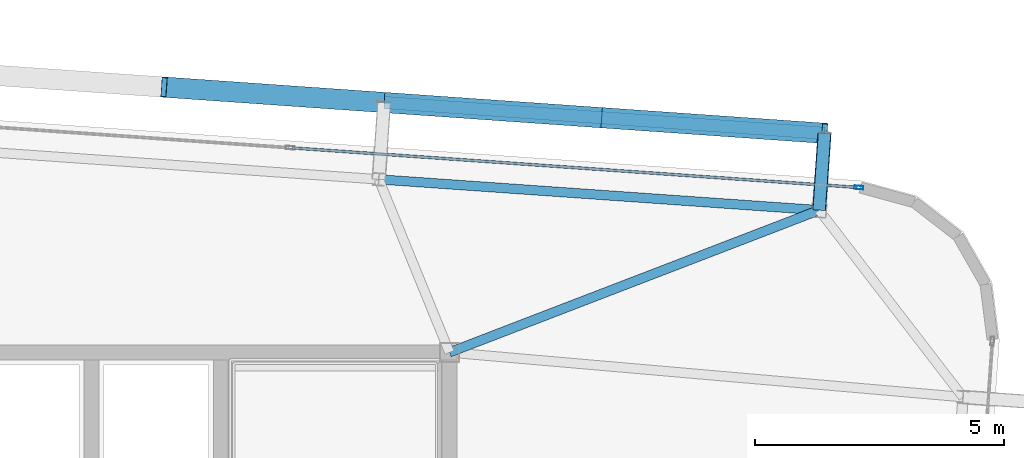
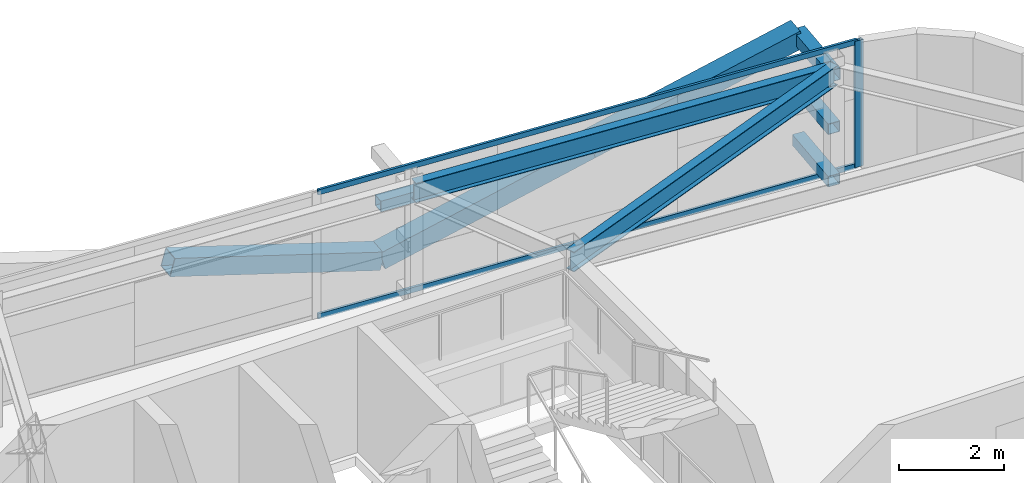
# One storey, part 24 of 39: 10 members, 2 beams, 1 element without a shape of its own.
"""IFC4 building model written with IfcOpenShell, lengths in metres."""

from ifc_helpers import new_model, si_unit, direction, frame, origin, origin_2d, place, context, subcontext, project, spatial, hollow_rectangle, i_section, extrude, source, transform, mapped, material, layer, layer_set, material_profile, profile_set, type_object, element, aggregate, save


model = new_model("IFC4")

# Units and contexts
model_context = context("Model", 3, precision=1e-05, world=origin(), true_north=direction((0.0, 1.0)))
body_context = subcontext(model_context, "Body", "Model", "MODEL_VIEW")
ifc_project = project(units=[si_unit("LENGTHUNIT", "METRE"), si_unit("AREAUNIT", "SQUARE_METRE"), si_unit("VOLUMEUNIT", "CUBIC_METRE"), si_unit("PLANEANGLEUNIT", "RADIAN"), si_unit("MASSUNIT", "GRAM", prefix="KILO")], contexts=[model_context])

# Site, building, storey
site_placement = place(None, origin())
site = spatial("IfcSite", under=ifc_project, at=site_placement, CompositionType="ELEMENT")
building_placement = place(site_placement, origin())
building = spatial("IfcBuilding", under=site, at=building_placement, Name="Taldren Reach Tower", CompositionType="ELEMENT")
storey_placement = place(building_placement, frame((0.0, 0.0, 120.39990234375)))
storey = spatial("IfcBuildingStorey", under=building, at=storey_placement, Name="L36", CompositionType="ELEMENT", Elevation=120.39990234375)

# Members
ifc_material_1 = material(Name="Steel Gr 450 (C450L0)", Category="steel")
ifc_material_profile_1 = material_profile(ifc_material_1, hollow_rectangle(XDim=0.27490234375, YDim=0.27490234375, WallThickness=0.00927734375, at=origin_2d()), Name="275x275x9.3SHS")
ifc_profile_set_1 = profile_set([ifc_material_profile_1], Name="Steel Gr 450 (C450L0)")
member_type_1 = type_object("IfcMemberType", Name="MB-TIE273", PredefinedType="STRUT", material=ifc_profile_set_1)
shared_shape_1 = source(origin(), body_context, "Body", "SweptSolid", [
    extrude(hollow_rectangle(XDim=0.27490234375, YDim=0.27490234375, WallThickness=0.00927734375, at=origin_2d()), origin(), (0.0, 0.0, 1.0), 1.5498046875),
])
member_1_placement = place(storey_placement, frame((58.4365234375, 34.861572265625, 2.650146484375), z_axis=(0.069780535098, 0.997562367434, 0.0), x_axis=(-0.997562367434, 0.069780535098, 0.0)))
element("IfcMember", 1, at=member_1_placement, inside=storey, type_object=member_type_1, Name="Exoskeleton diaphragm tie strut B3-N6 L36", PredefinedType="STRUT", context=body_context, shape_type="MappedRepresentation", body=[
    mapped(shared_shape_1, transform((0.0, 0.0, 0.0), scale=1.0)),
])
ifc_material_2 = material(Name="Steel Gr 350 (C350L0)", Category="steel")
ifc_material_profile_2 = material_profile(ifc_material_2, hollow_rectangle(XDim=0.25, YDim=0.25, WallThickness=0.010009765625, at=origin_2d()), Name="250x250x10.0SHS")
ifc_profile_set_2 = profile_set([ifc_material_profile_2], Name="Steel Gr 350 (C350L0)")
member_type_2 = type_object("IfcMemberType", Name="MB-POST250", PredefinedType="POST", material=ifc_profile_set_2)
shared_shape_2 = source(origin(), body_context, "Body", "SweptSolid", [
    extrude(hollow_rectangle(XDim=0.25, YDim=0.25, WallThickness=0.010009765625, at=origin_2d()), origin(), (0.0, 0.0, 1.0), 1.5498046875),
])
for number, where, z_axis, x_axis, name in (
    (2, (58.4365234375, 34.861572265625, 0.22021484375), (0.069780535098, 0.997562367434, 0.0), (-0.997562367434, 0.069780535098, 0.0), "Exoskeleton base diaphragm tie strut B3-N6 L36"),
    (3, (58.4365234375, 34.861572265625, 1.43505859375), (0.069780535098, 0.997562367434, 0.0), (-0.997562367434, 0.069780535098, 0.0), "Exoskeleton mid-tier diaphragm tie B3-N6 L36"),
):
    element("IfcMember", number, at=place(storey_placement, frame(where, z_axis=z_axis, x_axis=x_axis)), inside=storey, type_object=member_type_2, Name=name, PredefinedType="POST", context=body_context, shape_type="MappedRepresentation", body=[
        mapped(shared_shape_2, transform((0.0, 0.0, 0.0), scale=1.0)),
    ])

# Beams
ifc_material_3 = material(Name="Steel Gr 350 (350PLUS)", Category="steel")
ifc_material_profile_3 = material_profile(ifc_material_3, i_section(OverallWidth=0.18994140625, OverallDepth=0.4541015625, WebThickness=0.008544921875, FlangeThickness=0.0126953125, at=origin_2d()), Name="460UB67.1")
ifc_profile_set_3 = profile_set([ifc_material_profile_3], Name="Steel Gr 350 (350PLUS)")
beam_type_1 = type_object("IfcBeamType", Name="SP-UB460B", PredefinedType="SPANDREL", material=ifc_profile_set_3)
shared_shape_3 = source(origin(), body_context, "Body", "SweptSolid", [
    extrude(i_section(OverallWidth=0.18994140625, OverallDepth=0.4541015625, WebThickness=0.008544921875, FlangeThickness=0.0126953125, at=origin_2d()), origin(), (0.0, 0.0, 1.0), 8.880126953125),
])
beam_1_placement = place(storey_placement, frame((58.4365234375, 34.861572265625, 2.703125), z_axis=(-0.997564479639, 0.069750333063, 0.0), x_axis=(-0.069750333063, -0.997564479639, 0.0)))
element("IfcBeam", 4, at=beam_1_placement, inside=storey, type_object=beam_type_1, Name="Perimeter spandrel B3 N6-N5 L36", PredefinedType="SPANDREL", context=body_context, shape_type="MappedRepresentation", body=[
    mapped(shared_shape_3, transform((0.0, 0.0, 0.0), scale=1.0)),
])
ifc_material_profile_4 = material_profile(ifc_material_3, i_section(OverallWidth=0.19091796875, OverallDepth=0.4599609375, WebThickness=0.010009765625, FlangeThickness=0.01611328125, at=origin_2d()), Name="460UB82.1")
ifc_profile_set_4 = profile_set([ifc_material_profile_4], Name="Steel Gr 350 (350PLUS)")
beam_type_2 = type_object("IfcBeamType", Name="BM-UB460A", PredefinedType="BEAM", material=ifc_profile_set_4)
shared_shape_4 = source(origin(), body_context, "Body", "SweptSolid", [
    extrude(i_section(OverallWidth=0.19091796875, OverallDepth=0.4599609375, WebThickness=0.010009765625, FlangeThickness=0.01611328125, at=origin_2d()), origin(), (0.0, 0.0, 1.0), 7.968017578125),
])
beam_2_placement = place(storey_placement, frame((51.0, 32.0, 2.7001953125), z_axis=(0.933287947144, 0.359128956943, 0.0), x_axis=(-0.359128956943, 0.933287947144, 0.0)))
element("IfcBeam", 5, at=beam_2_placement, inside=storey, type_object=beam_type_2, Name="Primary floor girder B3-N6 L36", PredefinedType="BEAM", context=body_context, shape_type="MappedRepresentation", body=[
    mapped(shared_shape_4, transform((0.0, 0.0, 0.0), scale=1.0)),
])

# Members
shared_shape_5 = source(origin(), body_context, "Body", "SweptSolid", [
    extrude(hollow_rectangle(XDim=0.25, YDim=0.25, WallThickness=0.010009765625, at=origin_2d()), origin(), (0.0, 0.0, 1.0), 8.880126953125),
])
member_2_placement = place(storey_placement, frame((49.686279296875, 37.02734375, 1.43505859375), z_axis=(0.997562566276, -0.06977769246, 0.0), x_axis=(0.06977769246, 0.997562566276, 0.0)))
element("IfcMember", 6, at=member_2_placement, inside=storey, type_object=member_type_2, Name="Exoskeleton mid-height ring chord B3-N5 L36", PredefinedType="POST", context=body_context, shape_type="MappedRepresentation", body=[
    mapped(shared_shape_5, transform((0.0, 0.0, 0.0), scale=1.0)),
])
ifc_material_profile_5 = material_profile(ifc_material_1, hollow_rectangle(XDim=0.409912109375, YDim=0.409912109375, WallThickness=0.01611328125, at=origin_2d()), Name="410x410x16.0SHS")
ifc_profile_set_5 = profile_set([ifc_material_profile_5], Name="Steel Gr 450 (C450L0)")
member_type_3 = type_object("IfcMemberType", Name="MB-EXO406", PredefinedType="BRACE", material=ifc_profile_set_5)
shared_shape_6 = source(origin(), body_context, "Body", "SweptSolid", [
    extrude(hollow_rectangle(XDim=0.409912109375, YDim=0.409912109375, WallThickness=0.01611328125, at=origin_2d()), origin(), (0.0, 0.0, 1.0), 4.603271484375),
])
for number, where, z_axis, x_axis, name in (
    (7, (49.686279296875, 37.02734375, 0.22021484375), (-0.962199253371, 0.067251055742, 0.263912660389), (-0.069722973508, -0.997566392259, 0.0), "Exoskeleton Diagrid Brace B3-N4 L36"),
    (8, (49.686279296875, 37.02734375, 0.22021484375), (0.962195820062, -0.067303852699, 0.263911718699), (0.06977769246, 0.997562566276, 0.0), "Exoskeleton Diagrid Brace B3-N5 L36"),
    (9, (54.115478515625, 36.717529296875, 1.43505859375), (0.962182351074, -0.067302910567, 0.263961060594), (0.06977769246, 0.997562566276, 0.0), "Exoskeleton Diagrid Brace B3-N5 L36"),
):
    element("IfcMember", number, at=place(storey_placement, frame(where, z_axis=z_axis, x_axis=x_axis)), inside=storey, type_object=member_type_3, Name=name, PredefinedType="BRACE", context=body_context, shape_type="MappedRepresentation", body=[
        mapped(shared_shape_6, transform((0.0, 0.0, 0.0), scale=1.0)),
    ])

# Curtain wall, members
ifc_material_4 = material(Name="Aluminium and Low-E Glass Unitised System", Category="aluminium")
ifc_layer = layer(ifc_material_4, 0.159912109375)
ifc_layer_set = layer_set([ifc_layer], Name="Aluminium and Low-E Glass Unitised System")
curtain_wall_type = type_object("IfcCurtainWallType", Name="CW-SYS-4", PredefinedType="NOTDEFINED", material=ifc_layer_set)
curtain_wall_placement = place(storey_placement, origin())
curtain_wall = element("IfcCurtainWall", 10, at=curtain_wall_placement, inside=storey, type_object=curtain_wall_type, Name="Unitised curtain wall CW-L36-N", PredefinedType="NOTDEFINED")
ifc_material_5 = material(Name="Anodised Aluminium 6063-T6", Category="aluminium")
ifc_material_profile_6 = material_profile(ifc_material_5, hollow_rectangle(XDim=0.070068359375, YDim=0.179931640625, WallThickness=0.00390625, at=origin_2d()), Name="ALU-180x70x4RHS")
ifc_profile_set_6 = profile_set([ifc_material_profile_6], Name="Anodised Aluminium 6063-T6")
member_type_4 = type_object("IfcMemberType", Name="CW-MUL-180", PredefinedType="MULLION", material=ifc_profile_set_6)
shared_shape_7 = source(origin(), body_context, "Body", "SweptSolid", [
    extrude(hollow_rectangle(XDim=0.070068359375, YDim=0.179931640625, WallThickness=0.00390625, at=origin_2d()), origin(), (0.0, 0.0, 1.0), 2.93017578125),
])
member_3_placement = place(storey_placement, frame((59.235107421875, 35.31689453125, 0.0), z_axis=(0.0, 0.0, 1.0), x_axis=(-0.06975651593, -0.99756404731, 0.0)))
member_3 = element("IfcMember", 11, at=member_3_placement, type_object=member_type_4, Name="CW-4 mullion 1", PredefinedType="MULLION", context=body_context, shape_type="MappedRepresentation", body=[
    mapped(shared_shape_7, transform((0.0, 0.0, 0.0), scale=1.0)),
])
ifc_material_profile_7 = material_profile(ifc_material_5, hollow_rectangle(XDim=0.054931640625, YDim=0.1201171875, WallThickness=0.0029296875, at=origin_2d()), Name="ALU-120x55x3RHS")
ifc_profile_set_7 = profile_set([ifc_material_profile_7], Name="Anodised Aluminium 6063-T6")
member_type_5 = type_object("IfcMemberType", Name="CW-TRN-135", PredefinedType="USERDEFINED", material=ifc_profile_set_7)
shared_shape_8 = source(origin(), body_context, "Body", "SweptSolid", [
    extrude(hollow_rectangle(XDim=0.054931640625, YDim=0.1201171875, WallThickness=0.0029296875, at=origin_2d()), origin(), (0.0, 0.0, 1.0), 11.39501953125),
])
member_4_placement = place(storey_placement, frame((59.2001953125, 35.3193359375, 0.027587890625), z_axis=(-0.997563740682, 0.069760900766, 0.0), x_axis=(-0.069760900766, -0.997563740682, 0.0)))
member_4 = element("IfcMember", 12, at=member_4_placement, type_object=member_type_5, Name="CW-4 transom 1.1", ObjectType="TRANSOM", PredefinedType="USERDEFINED", context=body_context, shape_type="MappedRepresentation", body=[
    mapped(shared_shape_8, transform((0.0, 0.0, 0.0), scale=1.0)),
])
member_5_placement = place(storey_placement, frame((59.2001953125, 35.3193359375, 2.902587890625), z_axis=(-0.997563740682, 0.069760900766, 0.0), x_axis=(-0.069760900766, -0.997563740682, 0.0)))
member_5 = element("IfcMember", 13, at=member_5_placement, type_object=member_type_5, Name="CW-4 transom 1.2", ObjectType="TRANSOM", PredefinedType="USERDEFINED", context=body_context, shape_type="MappedRepresentation", body=[
    mapped(shared_shape_8, transform((0.0, 0.0, 0.0), scale=1.0)),
])
aggregate(curtain_wall, [member_3, member_4, member_5])

save(model, "model.ifc")
